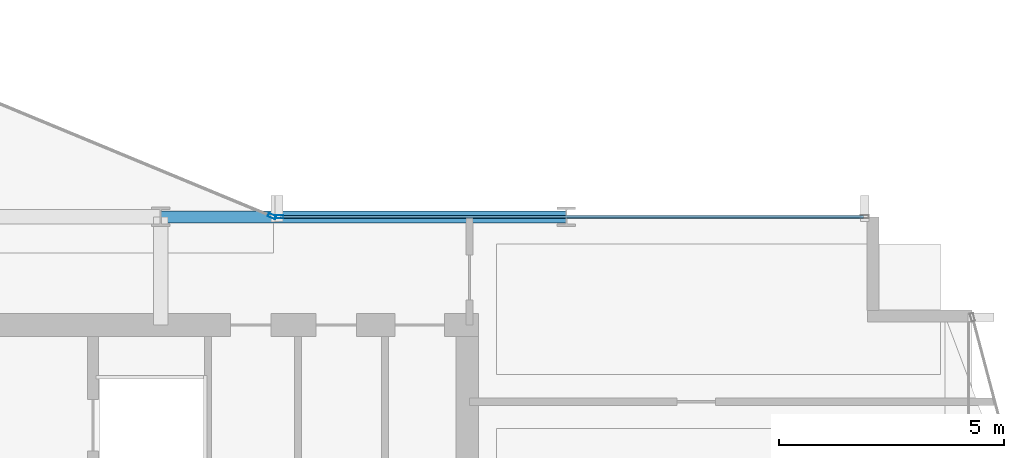
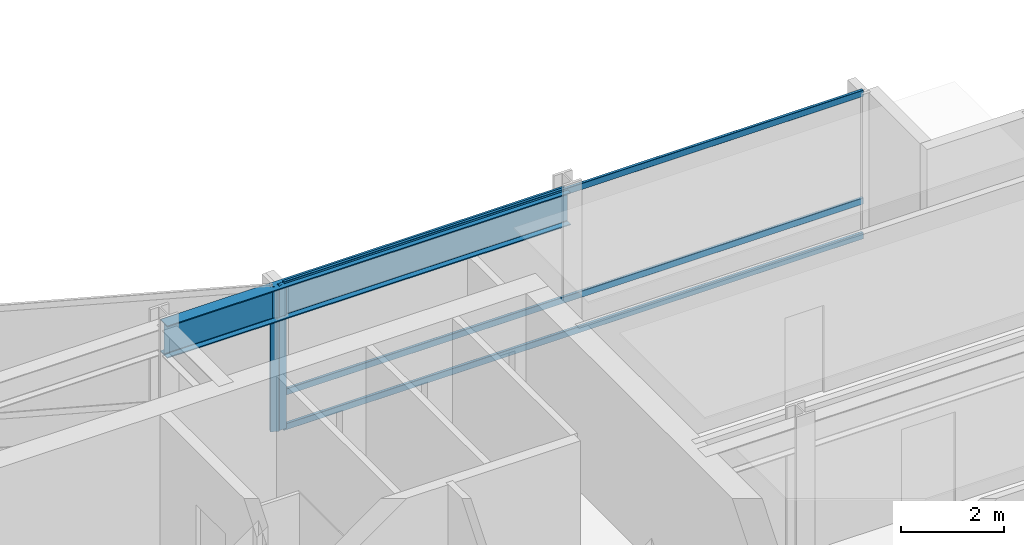
# One storey, part 13 of 29: 5 members, 1 beam, 2 elements without a shape of their own.
"""IFC4 building model written with IfcOpenShell, lengths in metres."""

from ifc_helpers import new_model, si_unit, direction, frame, origin, origin_2d, place, context, subcontext, project, spatial, hollow_rectangle, i_section, extrude, material, layer, layer_set, material_profile, profile_set, type_object, element, aggregate, save


model = new_model("IFC4")

# Units and contexts
model_context = context("Model", 3, precision=1e-05, world=origin(), true_north=direction((0.0, 1.0)))
body_context = subcontext(model_context, "Body", "Model", "MODEL_VIEW")
ifc_project = project(units=[si_unit("LENGTHUNIT", "METRE"), si_unit("AREAUNIT", "SQUARE_METRE"), si_unit("VOLUMEUNIT", "CUBIC_METRE"), si_unit("PLANEANGLEUNIT", "RADIAN"), si_unit("MASSUNIT", "GRAM", prefix="KILO")], contexts=[model_context])

# Site, building, storey
site_placement = place(None, origin())
site = spatial("IfcSite", under=ifc_project, at=site_placement, CompositionType="ELEMENT")
building_placement = place(site_placement, origin())
building = spatial("IfcBuilding", under=site, at=building_placement, Name="Solvaryn Broadcast Tower", CompositionType="ELEMENT")
storey_placement = place(building_placement, frame((0.0, 0.0, 143.300048828125)))
storey = spatial("IfcBuildingStorey", under=building, at=storey_placement, Name="L35", CompositionType="ELEMENT", Elevation=143.300048828125)

# Beam
ifc_material_1 = material(Name="Steel ASTM A992 Grade 50", Category="steel")
ifc_material_profile_1 = material_profile(ifc_material_1, i_section(OverallWidth=0.26708984375, OverallDepth=0.76611328125, WebThickness=0.014892578125, FlangeThickness=0.023681640625, FilletRadius=0.01806640625, at=origin_2d()))
ifc_profile_set_1 = profile_set([ifc_material_profile_1], Name="Steel ASTM A992 Grade 50")
beam_type = type_object("IfcBeamType", Name="BM-SP2-W30X124", PredefinedType="USERDEFINED", material=ifc_profile_set_1)
beam_placement = place(storey_placement, frame((36.0, 27.0, 3.036865234375), z_axis=(1.0, 0.0, 0.0), x_axis=(0.0, 1.0, 0.0)))
element("IfcBeam", 1, at=beam_placement, inside=storey, type_object=beam_type, Name="L35 Spandrel Beam X (36-45 @ Y=27)", ObjectType="SPANDREL", PredefinedType="USERDEFINED", context=body_context, shape_type="SweptSolid", body=[
    extrude(i_section(OverallWidth=0.26708984375, OverallDepth=0.76611328125, WebThickness=0.014892578125, FlangeThickness=0.023681640625, FilletRadius=0.01806640625, at=origin_2d()), origin(), (0.0, 0.0, 1.0), 9.0),
])

# Curtain wall, member
ifc_material_2 = material(Name="Aluminium and Terracotta Unitised Curtain Wall", Category="masonry")
ifc_layer = layer(ifc_material_2, 0.199951171875)
ifc_layer_set = layer_set([ifc_layer], Name="CW-SYS2-LOWMID")
curtain_wall_type = type_object("IfcCurtainWallType", Name="CW-SYS2-LOWMID", PredefinedType="NOTDEFINED", material=ifc_layer_set)
curtain_wall_1_placement = place(storey_placement, origin())
curtain_wall_1 = element("IfcCurtainWall", 2, at=curtain_wall_1_placement, inside=storey, type_object=curtain_wall_type, Name="L35 Curtain Wall CN1", PredefinedType="NOTDEFINED")
ifc_material_3 = material(Name="Anodised Aluminium 6063-T6", Category="aluminium")
ifc_material_profile_2 = material_profile(ifc_material_3, hollow_rectangle(XDim=0.074951171875, YDim=0.179931640625, WallThickness=0.00390625, InnerFilletRadius=0.00390625, OuterFilletRadius=0.008056640625, at=origin_2d()))
ifc_profile_set_2 = profile_set([ifc_material_profile_2], Name="Anodised Aluminium 6063-T6")
member_type_1 = type_object("IfcMemberType", Name="CW-MUL-180", PredefinedType="MULLION", material=ifc_profile_set_2)
member_1_placement = place(storey_placement, frame((38.47216796875, 27.011474609375, 0.0), z_axis=(0.0, 0.0, 1.0), x_axis=(-0.382646127145, -0.923894983957, 0.0)))
member_1 = element("IfcMember", 3, at=member_1_placement, type_object=member_type_1, Name="CWS2 mullion 1", PredefinedType="MULLION", context=body_context, shape_type="SweptSolid", body=[
    extrude(hollow_rectangle(XDim=0.074951171875, YDim=0.179931640625, WallThickness=0.00390625, InnerFilletRadius=0.00390625, OuterFilletRadius=0.008056640625, at=origin_2d()), origin(), (0.0, 0.0, 1.0), 3.419921875),
])
aggregate(curtain_wall_1, [member_1])

# Curtain wall, members
curtain_wall_2_placement = place(storey_placement, origin())
curtain_wall_2 = element("IfcCurtainWall", 4, at=curtain_wall_2_placement, inside=storey, type_object=curtain_wall_type, Name="L35 Curtain Wall IH", PredefinedType="NOTDEFINED")
member_2_placement = place(storey_placement, frame((38.6298828125, 27.0, 0.0), z_axis=(0.0, 0.0, 1.0), x_axis=(0.0, 1.0, 0.0)))
member_2 = element("IfcMember", 5, at=member_2_placement, type_object=member_type_1, Name="CWS2 mullion 1", PredefinedType="MULLION", context=body_context, shape_type="SweptSolid", body=[
    extrude(hollow_rectangle(XDim=0.074951171875, YDim=0.179931640625, WallThickness=0.00390625, InnerFilletRadius=0.00390625, OuterFilletRadius=0.008056640625, at=origin_2d()), origin(), (0.0, 0.0, 1.0), 3.419921875),
])
ifc_material_4 = material(Name="Anodised Aluminium 6063-T6", Category="aluminium")
ifc_material_profile_3 = material_profile(ifc_material_4, hollow_rectangle(XDim=0.06494140625, YDim=0.14990234375, WallThickness=0.00390625, InnerFilletRadius=0.00390625, OuterFilletRadius=0.008056640625, at=origin_2d()))
ifc_profile_set_3 = profile_set([ifc_material_profile_3], Name="Anodised Aluminium 6063-T6")
member_type_2 = type_object("IfcMemberType", Name="CW-TRN-150", PredefinedType="USERDEFINED", material=ifc_profile_set_3)
member_3_placement = place(storey_placement, frame((38.659912109375, 27.0, 0.030029296875), z_axis=(1.0, 0.0, 0.0), x_axis=(0.0, 1.0, 0.0)))
member_3 = element("IfcMember", 6, at=member_3_placement, type_object=member_type_2, Name="CWS2 transom 1.1", ObjectType="TRANSOM", PredefinedType="USERDEFINED", context=body_context, shape_type="SweptSolid", body=[
    extrude(hollow_rectangle(XDim=0.06494140625, YDim=0.14990234375, WallThickness=0.00390625, InnerFilletRadius=0.00390625, OuterFilletRadius=0.008056640625, at=origin_2d()), origin(), (0.0, 0.0, 1.0), 12.93017578125),
])
member_4_placement = place(storey_placement, frame((38.659912109375, 27.0, 0.849853515625), z_axis=(1.0, 0.0, 0.0), x_axis=(0.0, 1.0, 0.0)))
member_4 = element("IfcMember", 7, at=member_4_placement, type_object=member_type_2, Name="CWS2 transom 1.2", ObjectType="TRANSOM", PredefinedType="USERDEFINED", context=body_context, shape_type="SweptSolid", body=[
    extrude(hollow_rectangle(XDim=0.06494140625, YDim=0.14990234375, WallThickness=0.00390625, InnerFilletRadius=0.00390625, OuterFilletRadius=0.008056640625, at=origin_2d()), origin(), (0.0, 0.0, 1.0), 12.93017578125),
])
member_5_placement = place(storey_placement, frame((38.659912109375, 27.0, 3.389892578125), z_axis=(1.0, 0.0, 0.0), x_axis=(0.0, 1.0, 0.0)))
member_5 = element("IfcMember", 8, at=member_5_placement, type_object=member_type_2, Name="CWS2 transom 1.3", ObjectType="TRANSOM", PredefinedType="USERDEFINED", context=body_context, shape_type="SweptSolid", body=[
    extrude(hollow_rectangle(XDim=0.06494140625, YDim=0.14990234375, WallThickness=0.00390625, InnerFilletRadius=0.00390625, OuterFilletRadius=0.008056640625, at=origin_2d()), origin(), (0.0, 0.0, 1.0), 12.93017578125),
])
aggregate(curtain_wall_2, [member_2, member_3, member_4, member_5])

save(model, "model.ifc")
